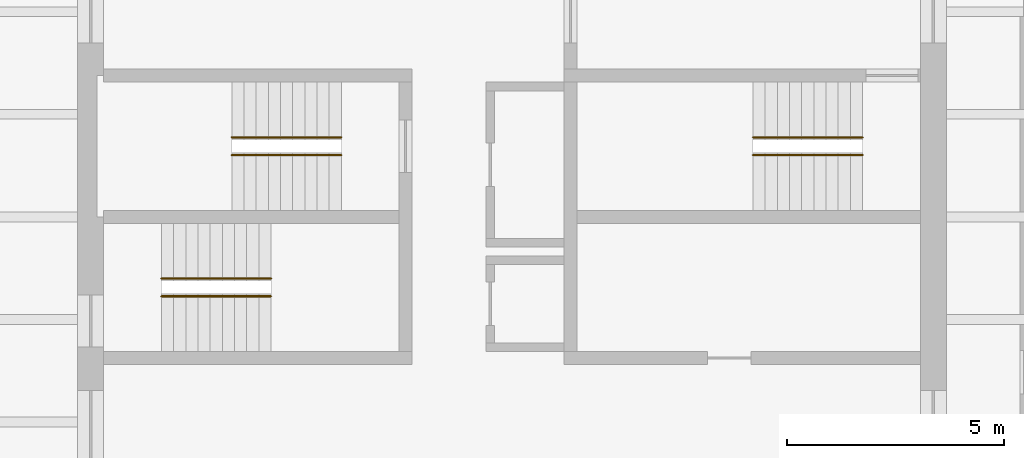
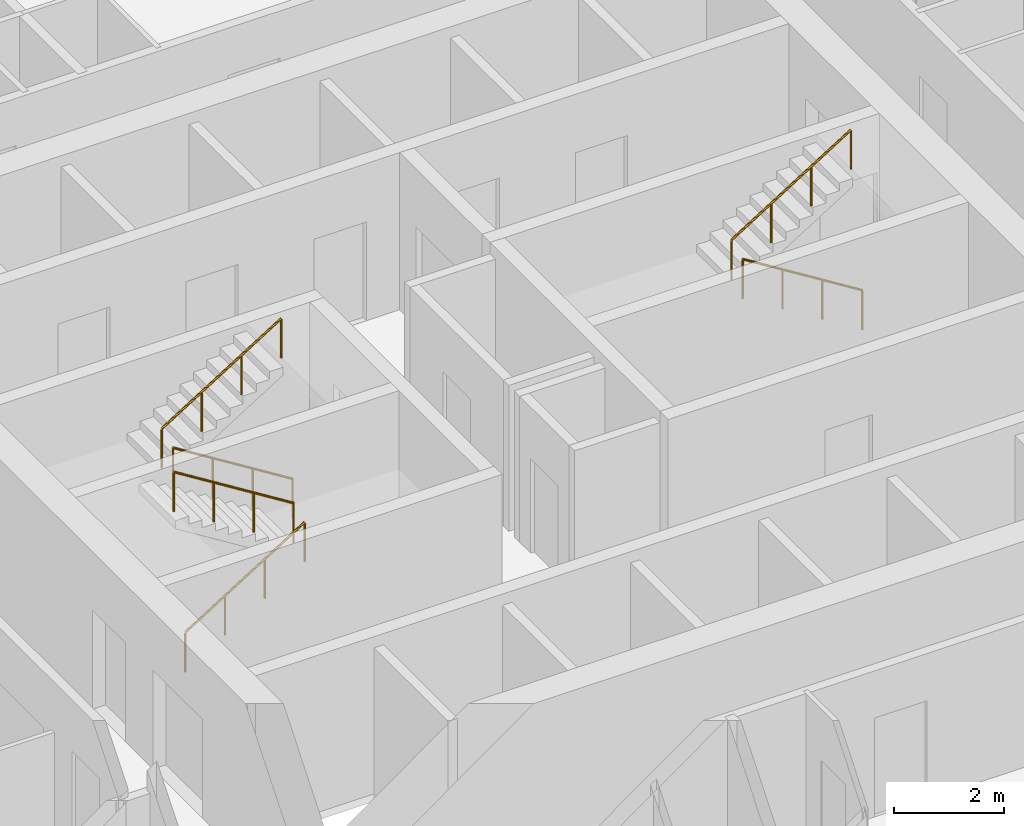
# One storey, part 9 of 9: 6 railings.
"""IFC4 building model written with IfcOpenShell, lengths in metres."""

from ifc_helpers import new_model, si_unit, direction, frame, origin, origin_2d, place, context, subcontext, project, spatial, circle, extrude, material, type_object, element, save


model = new_model("IFC4")

# Units and contexts
model_context = context("Model", 3, precision=1e-05, world=origin(), true_north=direction((0.0, 1.0)))
body_context = subcontext(model_context, "Body", "Model", "MODEL_VIEW")
ifc_project = project(units=[si_unit("LENGTHUNIT", "METRE"), si_unit("AREAUNIT", "SQUARE_METRE"), si_unit("VOLUMEUNIT", "CUBIC_METRE"), si_unit("PLANEANGLEUNIT", "RADIAN"), si_unit("MASSUNIT", "GRAM", prefix="KILO")], contexts=[model_context])

# Site, building, storey
site_placement = place(None, origin())
site = spatial("IfcSite", under=ifc_project, at=site_placement, CompositionType="ELEMENT")
building_placement = place(site_placement, origin())
building = spatial("IfcBuilding", under=site, at=building_placement, Name="Turquesa Mirador Hotel Tower", CompositionType="ELEMENT")
storey_placement = place(building_placement, frame((0.0, 0.0, 84.5)))
storey = spatial("IfcBuildingStorey", under=building, at=storey_placement, Name="L22", CompositionType="ELEMENT", Elevation=84.5)

# Railings
ifc_material = material(Name="Painted steel handrail", Category="steel")
railing_type = type_object("IfcRailingType", Name="HANDRAIL 900 STEEL", PredefinedType="HANDRAIL", material=ifc_material)
railing_1_placement = place(storey_placement, frame((51.070068359375, 46.419921875, 0.175048828125)))
element("IfcRailing", 1, at=railing_1_placement, inside=storey, type_object=railing_type, Name="Handrail ST1", PredefinedType="HANDRAIL", context=body_context, shape_type="SweptSolid", body=[
    extrude(circle(Radius=0.02392578125, at=origin_2d()), frame((0.0, 0.0, 0.8759765625), z_axis=(-0.848007534815, 0.0, 0.529984170421), x_axis=(0.0, -1.0, 0.0)), (0.0, 0.0, 1.0), 2.9716796875),
    extrude(circle(Radius=0.02099609375, at=origin_2d()), origin(), (0.0, 0.0, 1.0), 0.851806640625),
    extrude(circle(Radius=0.02099609375, at=origin_2d()), frame((-0.840087890625, 0.0, 0.52490234375)), (0.0, 0.0, 1.0), 0.851806640625),
    extrude(circle(Radius=0.02099609375, at=origin_2d()), frame((-1.679931640625, 0.0, 1.050048828125)), (0.0, 0.0, 1.0), 0.851806640625),
    extrude(circle(Radius=0.02099609375, at=origin_2d()), frame((-2.52001953125, 0.0, 1.574951171875)), (0.0, 0.0, 1.0), 0.851806640625),
])
for number, where, name in (
    (2, (48.550048828125, 46.830078125, 1.925048828125), "Handrail ST1"),
    (3, (46.929931640625, 43.169921875, 0.175048828125), "Handrail ST2"),
):
    element("IfcRailing", number, at=place(storey_placement, frame(where)), inside=storey, type_object=railing_type, Name=name, PredefinedType="HANDRAIL", context=body_context, shape_type="SweptSolid", body=[
        extrude(circle(Radius=0.02392578125, at=origin_2d()), frame((0.0, 0.0, 0.8759765625), z_axis=(0.848007534815, 0.0, 0.529984170421), x_axis=(0.0, 1.0, 0.0)), (0.0, 0.0, 1.0), 2.9716796875),
        extrude(circle(Radius=0.02099609375, at=origin_2d()), origin(), (0.0, 0.0, 1.0), 0.851806640625),
        extrude(circle(Radius=0.02099609375, at=origin_2d()), frame((0.840087890625, 0.0, 0.52490234375)), (0.0, 0.0, 1.0), 0.851806640625),
        extrude(circle(Radius=0.02099609375, at=origin_2d()), frame((1.679931640625, 0.0, 1.050048828125)), (0.0, 0.0, 1.0), 0.851806640625),
        extrude(circle(Radius=0.02099609375, at=origin_2d()), frame((2.52001953125, 0.0, 1.574951171875)), (0.0, 0.0, 1.0), 0.851806640625),
    ])
for number, where, name in (
    (4, (49.449951171875, 43.580078125, 1.925048828125), "Handrail ST2"),
    (5, (63.070068359375, 46.419921875, 0.175048828125), "Handrail ST3"),
):
    element("IfcRailing", number, at=place(storey_placement, frame(where)), inside=storey, type_object=railing_type, Name=name, PredefinedType="HANDRAIL", context=body_context, shape_type="SweptSolid", body=[
        extrude(circle(Radius=0.02392578125, at=origin_2d()), frame((0.0, 0.0, 0.8759765625), z_axis=(-0.848007534815, 0.0, 0.529984170421), x_axis=(0.0, -1.0, 0.0)), (0.0, 0.0, 1.0), 2.9716796875),
        extrude(circle(Radius=0.02099609375, at=origin_2d()), origin(), (0.0, 0.0, 1.0), 0.851806640625),
        extrude(circle(Radius=0.02099609375, at=origin_2d()), frame((-0.840087890625, 0.0, 0.52490234375)), (0.0, 0.0, 1.0), 0.851806640625),
        extrude(circle(Radius=0.02099609375, at=origin_2d()), frame((-1.679931640625, 0.0, 1.050048828125)), (0.0, 0.0, 1.0), 0.851806640625),
        extrude(circle(Radius=0.02099609375, at=origin_2d()), frame((-2.52001953125, 0.0, 1.574951171875)), (0.0, 0.0, 1.0), 0.851806640625),
    ])
railing_2_placement = place(storey_placement, frame((60.550048828125, 46.830078125, 1.925048828125)))
element("IfcRailing", 6, at=railing_2_placement, inside=storey, type_object=railing_type, Name="Handrail ST3", PredefinedType="HANDRAIL", context=body_context, shape_type="SweptSolid", body=[
    extrude(circle(Radius=0.02392578125, at=origin_2d()), frame((0.0, 0.0, 0.8759765625), z_axis=(0.848007534815, 0.0, 0.529984170421), x_axis=(0.0, 1.0, 0.0)), (0.0, 0.0, 1.0), 2.9716796875),
    extrude(circle(Radius=0.02099609375, at=origin_2d()), origin(), (0.0, 0.0, 1.0), 0.851806640625),
    extrude(circle(Radius=0.02099609375, at=origin_2d()), frame((0.840087890625, 0.0, 0.52490234375)), (0.0, 0.0, 1.0), 0.851806640625),
    extrude(circle(Radius=0.02099609375, at=origin_2d()), frame((1.679931640625, 0.0, 1.050048828125)), (0.0, 0.0, 1.0), 0.851806640625),
    extrude(circle(Radius=0.02099609375, at=origin_2d()), frame((2.52001953125, 0.0, 1.574951171875)), (0.0, 0.0, 1.0), 0.851806640625),
])

save(model, "model.ifc")
